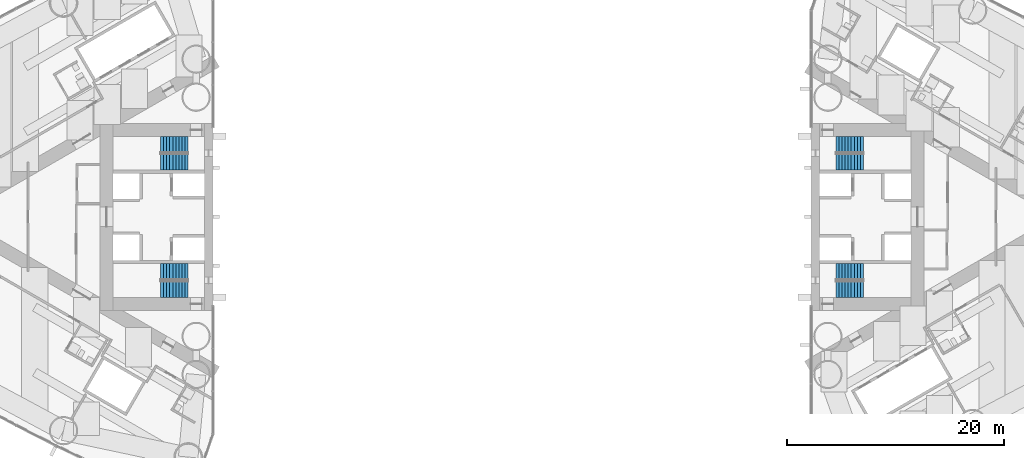
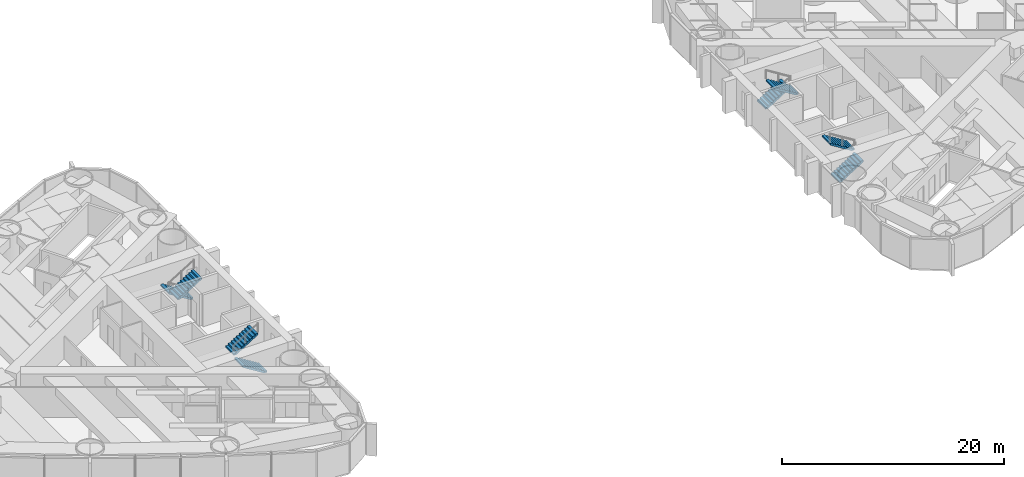
# One storey, part 16 of 18: 8 stair flights, 4 elements without a shape of their own.
"""IFC4 building model written with IfcOpenShell, lengths in metres."""

from ifc_helpers import new_model, si_unit, direction, frame, origin, place, context, subcontext, project, spatial, polyline, outline, extrude, material, type_object, element, aggregate, save


model = new_model("IFC4")

# Units and contexts
model_context = context("Model", 3, precision=1e-05, world=origin(), true_north=direction((0.0, 1.0)))
body_context = subcontext(model_context, "Body", "Model", "MODEL_VIEW")
ifc_project = project(units=[si_unit("LENGTHUNIT", "METRE"), si_unit("AREAUNIT", "SQUARE_METRE"), si_unit("VOLUMEUNIT", "CUBIC_METRE"), si_unit("PLANEANGLEUNIT", "RADIAN"), si_unit("MASSUNIT", "GRAM", prefix="KILO")], contexts=[model_context])

# Site, building, storey
site_placement = place(None, origin())
site = spatial("IfcSite", under=ifc_project, at=site_placement, CompositionType="ELEMENT")
building_placement = place(site_placement, origin())
building = spatial("IfcBuilding", under=site, at=building_placement, Name="Lancet Gate Hotel", CompositionType="ELEMENT")
storey_placement = place(building_placement, frame((0.0, 0.0, 104.60009765625)))
storey = spatial("IfcBuildingStorey", under=building, at=storey_placement, Name="L27", CompositionType="ELEMENT", Elevation=104.60009765625)

# Stair, stair flights
ifc_material_1 = material(Name="Exit stair 20 risers 1500")
stair_type = type_object("IfcStairType", Name="Exit stair 20 risers 1500", PredefinedType="HALF_TURN_STAIR", material=ifc_material_1)
stair_1_placement = place(storey_placement, origin())
stair_1 = element("IfcStair", 1, at=stair_1_placement, inside=storey, type_object=stair_type, Name="T1 stair 1 L27", PredefinedType="HALF_TURN_STAIR")
ifc_material_2 = material(Name="Stair flight 10 risers 175 rise 1500")
stair_flight_type = type_object("IfcStairFlightType", Name="Stair flight 10 risers 175 rise 1500", PredefinedType="STRAIGHT", material=ifc_material_2)
stair_flight_1_placement = place(storey_placement, frame((-29.800048828125, 6.64990234375, 0.0), z_axis=(0.0, 0.0, 1.0), x_axis=(-1.0, 0.0, 0.0)))
stair_flight_1 = element("IfcStairFlight", 2, at=stair_flight_1_placement, type_object=stair_flight_type, Name="ST1 flight 1", NumberOfRisers=10, NumberOfTreads=9, PredefinedType="STRAIGHT", RiserHeight=0.175, TreadLength=0.28, context=body_context, shape_type="SweptSolid", body=[
    extrude(outline(polyline([(0.0, 0.0), (0.0, 0.175048828125), (0.280029296875, 0.175048828125), (0.280029296875, 0.35009765625), (0.56005859375, 0.35009765625), (0.56005859375, 0.52490234375), (0.840087890625, 0.52490234375), (0.840087890625, 0.699951171875), (1.1201171875, 0.699951171875), (1.1201171875, 0.875), (1.39990234375, 0.875), (1.39990234375, 1.050048828125), (1.679931640625, 1.050048828125), (1.679931640625, 1.22509765625), (1.9599609375, 1.22509765625), (1.9599609375, 1.39990234375), (2.239990234375, 1.39990234375), (2.239990234375, 1.574951171875), (2.52001953125, 1.574951171875), (2.52001953125, 1.75), (2.52001953125, 1.398193359375), (0.28271484375, 0.0), (0.0, 0.0)])), frame((0.0, 0.75, 0.0), z_axis=(0.0, -1.0, 0.0), x_axis=(1.0, 0.0, 0.0)), (0.0, 0.0, 1.0), 1.5),
])
stair_flight_2_placement = place(storey_placement, frame((-32.320068359375, 5.050048828125, 1.75), z_axis=(0.0, 0.0, 1.0), x_axis=(1.0, 0.0, 0.0)))
stair_flight_2 = element("IfcStairFlight", 3, at=stair_flight_2_placement, type_object=stair_flight_type, Name="ST1 flight 2", NumberOfRisers=10, NumberOfTreads=9, PredefinedType="STRAIGHT", RiserHeight=0.175, TreadLength=0.28, context=body_context, shape_type="SweptSolid", body=[
    extrude(outline(polyline([(0.0, 0.0), (0.0, 0.175048828125), (0.280029296875, 0.175048828125), (0.280029296875, 0.35009765625), (0.56005859375, 0.35009765625), (0.56005859375, 0.52490234375), (0.840087890625, 0.52490234375), (0.840087890625, 0.699951171875), (1.1201171875, 0.699951171875), (1.1201171875, 0.875), (1.39990234375, 0.875), (1.39990234375, 1.050048828125), (1.679931640625, 1.050048828125), (1.679931640625, 1.22509765625), (1.9599609375, 1.22509765625), (1.9599609375, 1.39990234375), (2.239990234375, 1.39990234375), (2.239990234375, 1.574951171875), (2.52001953125, 1.574951171875), (2.52001953125, 1.75), (2.52001953125, 1.398193359375), (0.28271484375, 0.0), (0.0, 0.0)])), frame((0.0, 0.75, 0.0), z_axis=(0.0, -1.0, 0.0), x_axis=(1.0, 0.0, 0.0)), (0.0, 0.0, 1.0), 1.5),
])
aggregate(stair_1, [stair_flight_1, stair_flight_2])

stair_2_placement = place(storey_placement, origin())
stair_2 = element("IfcStair", 4, at=stair_2_placement, inside=storey, type_object=stair_type, Name="T1 stair 2 L27", PredefinedType="HALF_TURN_STAIR")
stair_flight_3_placement = place(storey_placement, frame((-29.800048828125, -6.64990234375, 0.0), z_axis=(0.0, 0.0, 1.0), x_axis=(-1.0, 0.0, 0.0)))
stair_flight_3 = element("IfcStairFlight", 5, at=stair_flight_3_placement, type_object=stair_flight_type, Name="ST2 flight 1", NumberOfRisers=10, NumberOfTreads=9, PredefinedType="STRAIGHT", RiserHeight=0.175, TreadLength=0.28, context=body_context, shape_type="SweptSolid", body=[
    extrude(outline(polyline([(0.0, 0.0), (0.0, 0.175048828125), (0.280029296875, 0.175048828125), (0.280029296875, 0.35009765625), (0.56005859375, 0.35009765625), (0.56005859375, 0.52490234375), (0.840087890625, 0.52490234375), (0.840087890625, 0.699951171875), (1.1201171875, 0.699951171875), (1.1201171875, 0.875), (1.39990234375, 0.875), (1.39990234375, 1.050048828125), (1.679931640625, 1.050048828125), (1.679931640625, 1.22509765625), (1.9599609375, 1.22509765625), (1.9599609375, 1.39990234375), (2.239990234375, 1.39990234375), (2.239990234375, 1.574951171875), (2.52001953125, 1.574951171875), (2.52001953125, 1.75), (2.52001953125, 1.398193359375), (0.28271484375, 0.0), (0.0, 0.0)])), frame((0.0, 0.75, 0.0), z_axis=(0.0, -1.0, 0.0), x_axis=(1.0, 0.0, 0.0)), (0.0, 0.0, 1.0), 1.5),
])
stair_flight_4_placement = place(storey_placement, frame((-32.320068359375, -5.050048828125, 1.75), z_axis=(0.0, 0.0, 1.0), x_axis=(1.0, 0.0, 0.0)))
stair_flight_4 = element("IfcStairFlight", 6, at=stair_flight_4_placement, type_object=stair_flight_type, Name="ST2 flight 2", NumberOfRisers=10, NumberOfTreads=9, PredefinedType="STRAIGHT", RiserHeight=0.175, TreadLength=0.28, context=body_context, shape_type="SweptSolid", body=[
    extrude(outline(polyline([(0.0, 0.0), (0.0, 0.175048828125), (0.280029296875, 0.175048828125), (0.280029296875, 0.35009765625), (0.56005859375, 0.35009765625), (0.56005859375, 0.52490234375), (0.840087890625, 0.52490234375), (0.840087890625, 0.699951171875), (1.1201171875, 0.699951171875), (1.1201171875, 0.875), (1.39990234375, 0.875), (1.39990234375, 1.050048828125), (1.679931640625, 1.050048828125), (1.679931640625, 1.22509765625), (1.9599609375, 1.22509765625), (1.9599609375, 1.39990234375), (2.239990234375, 1.39990234375), (2.239990234375, 1.574951171875), (2.52001953125, 1.574951171875), (2.52001953125, 1.75), (2.52001953125, 1.398193359375), (0.28271484375, 0.0), (0.0, 0.0)])), frame((0.0, 0.75, 0.0), z_axis=(0.0, -1.0, 0.0), x_axis=(1.0, 0.0, 0.0)), (0.0, 0.0, 1.0), 1.5),
])
aggregate(stair_2, [stair_flight_3, stair_flight_4])

stair_3_placement = place(storey_placement, origin())
stair_3 = element("IfcStair", 7, at=stair_3_placement, inside=storey, type_object=stair_type, Name="T2 stair 1 L27", PredefinedType="HALF_TURN_STAIR")
stair_flight_5_placement = place(storey_placement, frame((29.800048828125, -6.64990234375, 0.0), z_axis=(0.0, 0.0, 1.0), x_axis=(1.0, 0.0, 0.0)))
stair_flight_5 = element("IfcStairFlight", 8, at=stair_flight_5_placement, type_object=stair_flight_type, Name="ST3 flight 1", NumberOfRisers=10, NumberOfTreads=9, PredefinedType="STRAIGHT", RiserHeight=0.175, TreadLength=0.28, context=body_context, shape_type="SweptSolid", body=[
    extrude(outline(polyline([(0.0, 0.0), (0.0, 0.175048828125), (0.280029296875, 0.175048828125), (0.280029296875, 0.35009765625), (0.56005859375, 0.35009765625), (0.56005859375, 0.52490234375), (0.840087890625, 0.52490234375), (0.840087890625, 0.699951171875), (1.1201171875, 0.699951171875), (1.1201171875, 0.875), (1.39990234375, 0.875), (1.39990234375, 1.050048828125), (1.679931640625, 1.050048828125), (1.679931640625, 1.22509765625), (1.9599609375, 1.22509765625), (1.9599609375, 1.39990234375), (2.239990234375, 1.39990234375), (2.239990234375, 1.574951171875), (2.52001953125, 1.574951171875), (2.52001953125, 1.75), (2.52001953125, 1.398193359375), (0.28271484375, 0.0), (0.0, 0.0)])), frame((0.0, 0.75, 0.0), z_axis=(0.0, -1.0, 0.0), x_axis=(1.0, 0.0, 0.0)), (0.0, 0.0, 1.0), 1.5),
])
stair_flight_6_placement = place(storey_placement, frame((32.320068359375, -5.050048828125, 1.75), z_axis=(0.0, 0.0, 1.0), x_axis=(-1.0, 0.0, 0.0)))
stair_flight_6 = element("IfcStairFlight", 9, at=stair_flight_6_placement, type_object=stair_flight_type, Name="ST3 flight 2", NumberOfRisers=10, NumberOfTreads=9, PredefinedType="STRAIGHT", RiserHeight=0.175, TreadLength=0.28, context=body_context, shape_type="SweptSolid", body=[
    extrude(outline(polyline([(0.0, 0.0), (0.0, 0.175048828125), (0.280029296875, 0.175048828125), (0.280029296875, 0.35009765625), (0.56005859375, 0.35009765625), (0.56005859375, 0.52490234375), (0.840087890625, 0.52490234375), (0.840087890625, 0.699951171875), (1.1201171875, 0.699951171875), (1.1201171875, 0.875), (1.39990234375, 0.875), (1.39990234375, 1.050048828125), (1.679931640625, 1.050048828125), (1.679931640625, 1.22509765625), (1.9599609375, 1.22509765625), (1.9599609375, 1.39990234375), (2.239990234375, 1.39990234375), (2.239990234375, 1.574951171875), (2.52001953125, 1.574951171875), (2.52001953125, 1.75), (2.52001953125, 1.398193359375), (0.28271484375, 0.0), (0.0, 0.0)])), frame((0.0, 0.75, 0.0), z_axis=(0.0, -1.0, 0.0), x_axis=(1.0, 0.0, 0.0)), (0.0, 0.0, 1.0), 1.5),
])
aggregate(stair_3, [stair_flight_5, stair_flight_6])

stair_4_placement = place(storey_placement, origin())
stair_4 = element("IfcStair", 10, at=stair_4_placement, inside=storey, type_object=stair_type, Name="T2 stair 2 L27", PredefinedType="HALF_TURN_STAIR")
stair_flight_7_placement = place(storey_placement, frame((29.800048828125, 6.64990234375, 0.0), z_axis=(0.0, 0.0, 1.0), x_axis=(1.0, 0.0, 0.0)))
stair_flight_7 = element("IfcStairFlight", 11, at=stair_flight_7_placement, type_object=stair_flight_type, Name="ST4 flight 1", NumberOfRisers=10, NumberOfTreads=9, PredefinedType="STRAIGHT", RiserHeight=0.175, TreadLength=0.28, context=body_context, shape_type="SweptSolid", body=[
    extrude(outline(polyline([(0.0, 0.0), (0.0, 0.175048828125), (0.280029296875, 0.175048828125), (0.280029296875, 0.35009765625), (0.56005859375, 0.35009765625), (0.56005859375, 0.52490234375), (0.840087890625, 0.52490234375), (0.840087890625, 0.699951171875), (1.1201171875, 0.699951171875), (1.1201171875, 0.875), (1.39990234375, 0.875), (1.39990234375, 1.050048828125), (1.679931640625, 1.050048828125), (1.679931640625, 1.22509765625), (1.9599609375, 1.22509765625), (1.9599609375, 1.39990234375), (2.239990234375, 1.39990234375), (2.239990234375, 1.574951171875), (2.52001953125, 1.574951171875), (2.52001953125, 1.75), (2.52001953125, 1.398193359375), (0.28271484375, 0.0), (0.0, 0.0)])), frame((0.0, 0.75, 0.0), z_axis=(0.0, -1.0, 0.0), x_axis=(1.0, 0.0, 0.0)), (0.0, 0.0, 1.0), 1.5),
])
stair_flight_8_placement = place(storey_placement, frame((32.320068359375, 5.050048828125, 1.75), z_axis=(0.0, 0.0, 1.0), x_axis=(-1.0, 0.0, 0.0)))
stair_flight_8 = element("IfcStairFlight", 12, at=stair_flight_8_placement, type_object=stair_flight_type, Name="ST4 flight 2", NumberOfRisers=10, NumberOfTreads=9, PredefinedType="STRAIGHT", RiserHeight=0.175, TreadLength=0.28, context=body_context, shape_type="SweptSolid", body=[
    extrude(outline(polyline([(0.0, 0.0), (0.0, 0.175048828125), (0.280029296875, 0.175048828125), (0.280029296875, 0.35009765625), (0.56005859375, 0.35009765625), (0.56005859375, 0.52490234375), (0.840087890625, 0.52490234375), (0.840087890625, 0.699951171875), (1.1201171875, 0.699951171875), (1.1201171875, 0.875), (1.39990234375, 0.875), (1.39990234375, 1.050048828125), (1.679931640625, 1.050048828125), (1.679931640625, 1.22509765625), (1.9599609375, 1.22509765625), (1.9599609375, 1.39990234375), (2.239990234375, 1.39990234375), (2.239990234375, 1.574951171875), (2.52001953125, 1.574951171875), (2.52001953125, 1.75), (2.52001953125, 1.398193359375), (0.28271484375, 0.0), (0.0, 0.0)])), frame((0.0, 0.75, 0.0), z_axis=(0.0, -1.0, 0.0), x_axis=(1.0, 0.0, 0.0)), (0.0, 0.0, 1.0), 1.5),
])
aggregate(stair_4, [stair_flight_7, stair_flight_8])

save(model, "model.ifc")
